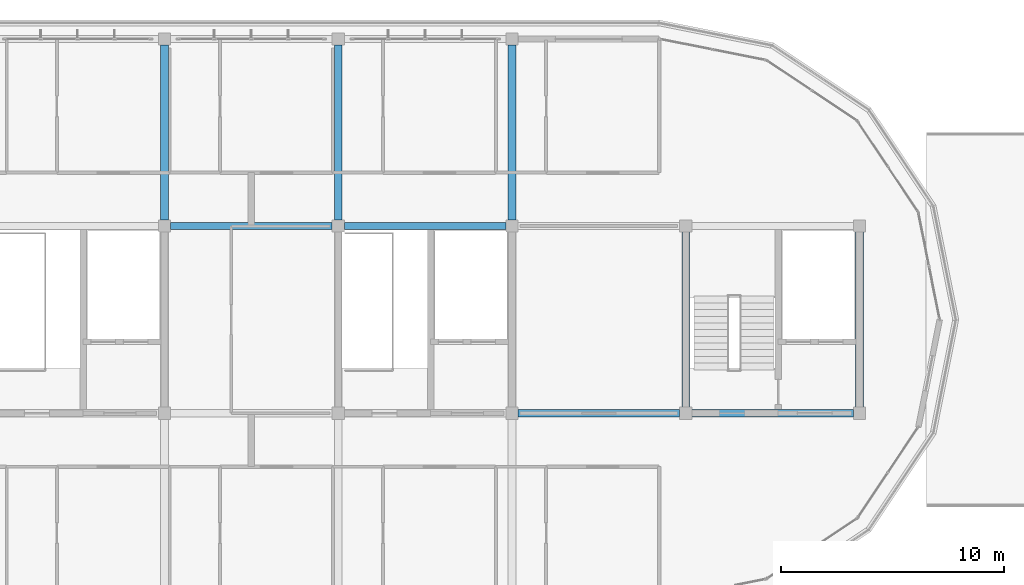
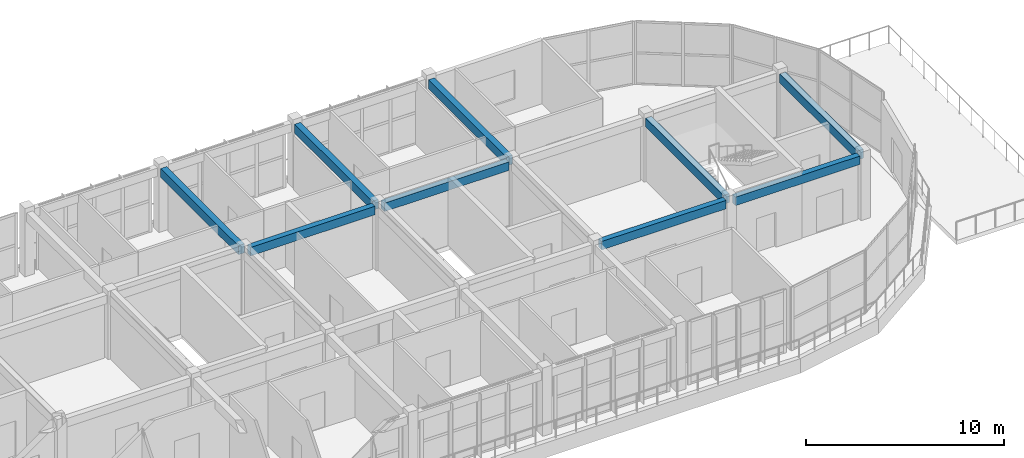
# One storey, part 16 of 33: 9 beams.
"""IFC4 building model written with IfcOpenShell, lengths in metres."""

from ifc_helpers import new_model, si_unit, direction, frame, origin, origin_2d, place, context, subcontext, project, spatial, rectangle, extrude, material, material_profile, profile_set, type_object, element, save


model = new_model("IFC4")

# Units and contexts
model_context = context("Model", 3, precision=1e-05, world=origin(), true_north=direction((0.0, 1.0)))
body_context = subcontext(model_context, "Body", "Model", "MODEL_VIEW")
ifc_project = project(units=[si_unit("LENGTHUNIT", "METRE"), si_unit("AREAUNIT", "SQUARE_METRE"), si_unit("VOLUMEUNIT", "CUBIC_METRE"), si_unit("PLANEANGLEUNIT", "RADIAN"), si_unit("MASSUNIT", "GRAM", prefix="KILO")], contexts=[model_context])

# Site, building, storey
site_placement = place(None, origin())
site = spatial("IfcSite", under=ifc_project, at=site_placement, CompositionType="ELEMENT")
building_placement = place(site_placement, origin())
building = spatial("IfcBuilding", under=site, at=building_placement, Name="Zizhar Promenade General Hospital", CompositionType="ELEMENT")
storey_placement = place(building_placement, frame((0.0, 0.0, 39.0)))
storey = spatial("IfcBuildingStorey", under=building, at=storey_placement, Name="L09", CompositionType="ELEMENT", Elevation=39.0)

# Beams
ifc_material_1 = material(Name="Concrete C35/45", Category="concrete")
ifc_material_profile_1 = material_profile(ifc_material_1, rectangle(XDim=0.320068359375, YDim=0.52001953125, at=origin_2d()))
ifc_profile_set_1 = profile_set([ifc_material_profile_1], Name="Concrete C35/45")
beam_type_1 = type_object("IfcBeamType", Name="BM-RC-320x520", PredefinedType="LINTEL", material=ifc_profile_set_1)
for number, where, z_axis, x_axis, name in (
    (1, (70.47509765625, 16.800048828125, 3.64990234375), (1.0, 0.0, 0.0), (0.0, 1.0, 0.0), "Grid Beam X L09 (9-2)"),
    (2, (78.27490234375, 16.800048828125, 3.64990234375), (1.0, 0.0, 0.0), (0.0, 1.0, 0.0), "Grid Beam X L09 (10-2)"),
    (3, (86.074951171875, 8.39990234375, 3.64990234375), (1.0, 0.0, 0.0), (0.0, 1.0, 0.0), "Grid Beam X L09 (11-1)"),
    (4, (93.875, 8.39990234375, 3.64990234375), (1.0, 0.0, 0.0), (0.0, 1.0, 0.0), "Grid Beam X L09 (12-1)"),
):
    element("IfcBeam", number, at=place(storey_placement, frame(where, z_axis=z_axis, x_axis=x_axis)), inside=storey, type_object=beam_type_1, Name=name, PredefinedType="LINTEL", context=body_context, shape_type="SweptSolid", body=[
        extrude(rectangle(XDim=0.320068359375, YDim=0.52001953125, at=origin_2d()), origin(), (0.0, 0.0, 1.0), 7.25),
    ])
ifc_material_2 = material(Name="Concrete C35/45", Category="concrete")
ifc_material_profile_2 = material_profile(ifc_material_2, rectangle(XDim=0.35009765625, YDim=0.550048828125, at=origin_2d()))
ifc_profile_set_2 = profile_set([ifc_material_profile_2], Name="Concrete C35/45")
beam_type_2 = type_object("IfcBeamType", Name="BM-RC-350x550", PredefinedType="LINTEL", material=ifc_profile_set_2)
for number, where, z_axis, x_axis, name in (
    (5, (70.199951171875, 17.074951171875, 3.635009765625), (0.0, 1.0, 0.0), (-1.0, 0.0, 0.0), "Grid Beam Y L09 (9-2)"),
    (6, (78.0, 17.074951171875, 3.635009765625), (0.0, 1.0, 0.0), (-1.0, 0.0, 0.0), "Grid Beam Y L09 (10-2)"),
    (7, (85.800048828125, 17.074951171875, 3.635009765625), (0.0, 1.0, 0.0), (-1.0, 0.0, 0.0), "Grid Beam Y L09 (11-2)"),
):
    element("IfcBeam", number, at=place(storey_placement, frame(where, z_axis=z_axis, x_axis=x_axis)), inside=storey, type_object=beam_type_2, Name=name, PredefinedType="LINTEL", context=body_context, shape_type="SweptSolid", body=[
        extrude(rectangle(XDim=0.35009765625, YDim=0.550048828125, at=origin_2d()), origin(), (0.0, 0.0, 1.0), 7.85009765625),
    ])
for number, where, z_axis, x_axis, name in (
    (8, (93.60009765625, 8.675048828125, 3.635009765625), (0.0, 1.0, 0.0), (-1.0, 0.0, 0.0), "Grid Beam Y L09 (12-1)"),
    (9, (101.39990234375, 8.675048828125, 3.635009765625), (0.0, 1.0, 0.0), (-1.0, 0.0, 0.0), "Grid Beam Y L09 (13-1)"),
):
    element("IfcBeam", number, at=place(storey_placement, frame(where, z_axis=z_axis, x_axis=x_axis)), inside=storey, type_object=beam_type_2, Name=name, PredefinedType="LINTEL", context=body_context, shape_type="SweptSolid", body=[
        extrude(rectangle(XDim=0.35009765625, YDim=0.550048828125, at=origin_2d()), origin(), (0.0, 0.0, 1.0), 7.849853515625),
    ])

save(model, "model.ifc")
